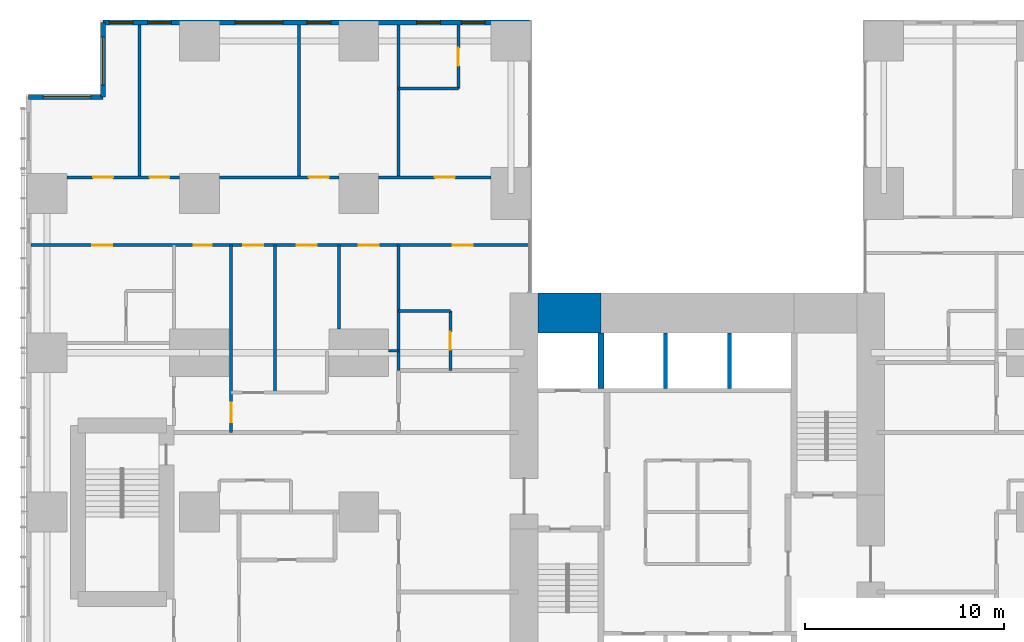
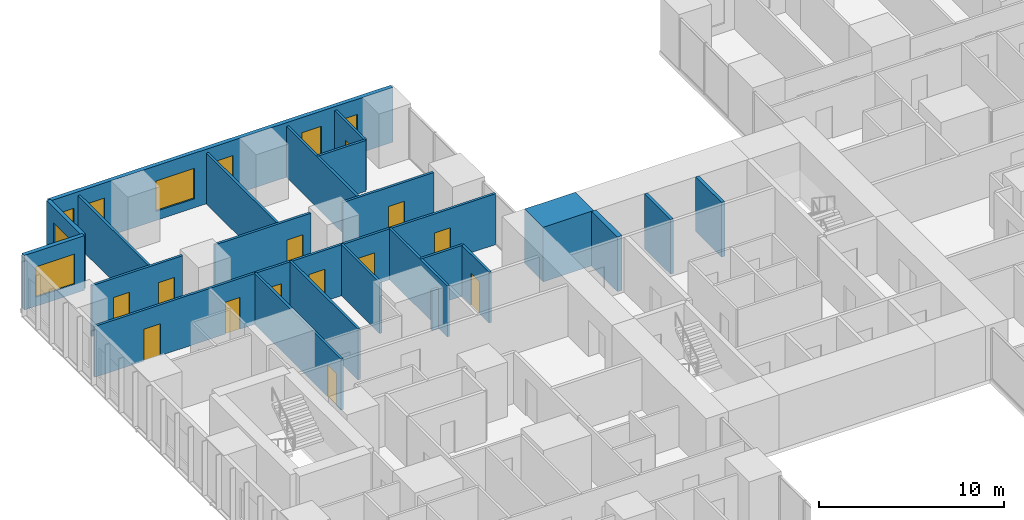
# One storey, part 17 of 20: 23 walls, 13 doors, 8 windows, 21 openings.
"""IFC4 building model written with IfcOpenShell, lengths in metres."""

import ifcopenshell
import ifcopenshell.guid

model = None  # the IFC model being written
_history = None  # IfcOwnerHistory: only IFC2X3 demands one
_inside = {}  # id of a spatial element -> (the spatial element, [elements in it])
_under = {}  # id of a project, library or spatial element -> (it, [spatial elements below it])
_declared = {}  # id of a project -> (the project, [libraries it declares])
_typed = {}  # id of a type object -> (the type object, [elements of that type])
_made_of = {}  # id of a material, layer set ... -> (it, [elements and type objects made of it])


def new_model(schema):
    """Start an empty IFC model of exactly this schema.

    Asked for "IFC4X3", IfcOpenShell would pick the latest addendum, in which some entities
    have other attributes; the version numbers below select the first issue.
    IFC2X3 requires an IfcOwnerHistory on every rooted entity: one is made here for all.
    """
    global model, _history
    if schema == "IFC4X3":
        model = ifcopenshell.file(schema_version=(4, 3, 0, 0))
    else:
        model = ifcopenshell.file(schema=schema)
    _inside.clear()
    _under.clear()
    _declared.clear()
    _typed.clear()
    _made_of.clear()
    _history = None
    if model.schema == "IFC2X3":
        org = make("IfcOrganization", Name="unknown")
        user = make(
            "IfcPersonAndOrganization",
            ThePerson=make("IfcPerson", FamilyName="unknown"),
            TheOrganization=org,
        )
        app = make(
            "IfcApplication",
            ApplicationDeveloper=org,
            Version="unknown",
            ApplicationFullName="unknown",
            ApplicationIdentifier="unknown",
        )
        _history = make(
            "IfcOwnerHistory",
            OwningUser=user,
            OwningApplication=app,
            ChangeAction="ADDED",
            CreationDate=0,
        )
    return model


def make(cls, **values):
    """One entity of the class cls with the attributes given. An attribute that is None is left unset."""
    return model.create_entity(
        cls, **{name: value for name, value in values.items() if value is not None}
    )


def rooted(cls, **values):
    """An entity with a GlobalId (a new one), such as an element, a storey or a relation."""
    return make(cls, GlobalId=ifcopenshell.guid.new(), OwnerHistory=_history, **values)


def si_unit(unit_type, name, prefix=None):
    """IfcSIUnit, for example si_unit("LENGTHUNIT", "METRE", prefix="MILLI")."""
    return make("IfcSIUnit", UnitType=unit_type, Prefix=prefix, Name=name)


def assignment(units):
    """IfcUnitAssignment: the units of a project."""
    return None if units is None else make("IfcUnitAssignment", Units=units)


def point(xyz):
    """IfcCartesianPoint."""
    return None if xyz is None else make("IfcCartesianPoint", Coordinates=xyz)


def direction(xyz):
    """IfcDirection."""
    return None if xyz is None else make("IfcDirection", DirectionRatios=xyz)


def frame(location, z_axis=None, x_axis=None):
    """IfcAxis2Placement3D, a coordinate frame: its origin and axes. An axis left out is left unset."""
    return make(
        "IfcAxis2Placement3D",
        Location=point(location),
        Axis=direction(z_axis),
        RefDirection=direction(x_axis),
    )


def frame_2d(location, x_axis=None):
    """IfcAxis2Placement2D, a coordinate frame in the plane: its origin and x axis."""
    return make(
        "IfcAxis2Placement2D", Location=point(location), RefDirection=direction(x_axis)
    )


def origin():
    """The frame at (0, 0, 0) with its axes left unset."""
    return frame((0.0, 0.0, 0.0))


def place(relative_to, where):
    """IfcLocalPlacement: puts the frame where relative to a parent placement (None: the world)."""
    return make(
        "IfcLocalPlacement", PlacementRelTo=relative_to, RelativePlacement=where
    )


def context(
    kind, dimensions, precision=None, world=None, true_north=None, identifier=None
):
    """IfcGeometricRepresentationContext, for example the 3D "Model" context."""
    return make(
        "IfcGeometricRepresentationContext",
        ContextIdentifier=identifier,
        ContextType=kind,
        CoordinateSpaceDimension=dimensions,
        Precision=precision,
        WorldCoordinateSystem=world,
        TrueNorth=true_north,
    )


def subcontext(parent, identifier, kind, view, scale=None):
    """IfcGeometricRepresentationSubContext, for example "Body" below "Model"."""
    return make(
        "IfcGeometricRepresentationSubContext",
        ContextIdentifier=identifier,
        ContextType=kind,
        ParentContext=parent,
        TargetScale=scale,
        TargetView=view,
    )


def project(units=None, contexts=None):
    """IfcProject with its units and contexts."""
    return rooted(
        "IfcProject",
        Name="project",
        RepresentationContexts=contexts,
        UnitsInContext=assignment(units),
    )


def spatial(cls, under=None, at=None, **own):
    """A site, building, storey or space (cls), placed at a placement, below another one or the project."""
    s = rooted(cls, ObjectPlacement=at, **own)
    if under is not None:
        _under.setdefault(under.id(), (under, []))[1].append(s)
    return s


def profile(cls, at=None, kind="AREA", **sizes):
    """A parametric profile (cls). Its sizes go by their IFC names, for example OverallWidth=200.0."""
    return make(cls, ProfileType=kind, Position=at, **sizes)


def rectangle(**sizes):
    """IfcRectangleProfileDef."""
    return profile("IfcRectangleProfileDef", **sizes)


def extrude(swept, where, along, depth):
    """IfcExtrudedAreaSolid: the profile swept, set in the frame where, extruded along a direction by depth."""
    return make(
        "IfcExtrudedAreaSolid",
        SweptArea=swept,
        Position=where,
        ExtrudedDirection=direction(along),
        Depth=depth,
    )


def shape(context_of_items, identifier, shape_type, items):
    """IfcShapeRepresentation: the items that make up one representation, for example the "Body"."""
    return make(
        "IfcShapeRepresentation",
        ContextOfItems=context_of_items,
        RepresentationIdentifier=identifier,
        RepresentationType=shape_type,
        Items=items,
    )


def material(Name=None, Category=None):
    """IfcMaterial."""
    return make("IfcMaterial", Name=Name, Category=Category)


def layer(
    of_material, thickness, ventilated=None, Name=None, Category=None, Priority=None
):
    """IfcMaterialLayer: one layer of a wall or slab, of a material (None: an air gap)."""
    return make(
        "IfcMaterialLayer",
        Material=of_material,
        LayerThickness=thickness,
        IsVentilated=ventilated,
        Name=Name,
        Category=Category,
        Priority=Priority,
    )


def layer_set(layers, Name=None):
    """IfcMaterialLayerSet."""
    return make("IfcMaterialLayerSet", MaterialLayers=layers, LayerSetName=Name)


def made_of(thing, what):
    """Note that an element or type object is made of a material, layer set ...; save() writes the relation."""
    if what is not None:
        _made_of.setdefault(what.id(), (what, []))[1].append(thing)
    return thing


def type_object(cls, material=None, **own):
    """A type object (cls), such as IfcWallType, which elements share."""
    return made_of(rooted(cls, **own), material)


def element(
    cls,
    number,
    at=None,
    inside=None,
    cuts=None,
    type_object=None,
    material=None,
    context=None,
    identifier="Body",
    shape_type=None,
    held_by="IfcProductDefinitionShape",
    body=None,
    shapes=None,
    **own,
):
    """One element of the class cls, such as IfcWall. Its Tag is "e" and its number.

    at: its placement. inside: the storey or other place that contains it. cuts: it is an
    opening in that element (IfcRelVoidsElement). A single representation is given by context,
    identifier, shape_type and body (its items); several are given by shapes. held_by: the class
    of the entity that holds the representations. save() writes the other relations.
    """
    e = rooted(cls, Tag="e%d" % number, ObjectPlacement=at, **own)
    if body is not None:
        shapes = [shape(context, identifier, shape_type, body)]
    if shapes is not None:
        e.Representation = make(held_by, Representations=shapes)
    if inside is not None:
        _inside.setdefault(inside.id(), (inside, []))[1].append(e)
    if cuts is not None:
        rooted(
            "IfcRelVoidsElement", RelatingBuildingElement=cuts, RelatedOpeningElement=e
        )
    if type_object is not None:
        _typed.setdefault(type_object.id(), (type_object, []))[1].append(e)
    return made_of(e, material)


def fill(opening, filler):
    """IfcRelFillsElement: the door or window that sits in an opening."""
    return rooted(
        "IfcRelFillsElement",
        RelatingOpeningElement=opening,
        RelatedBuildingElement=filler,
    )


def aggregate(whole, parts):
    """IfcRelAggregates: a whole, such as a stair, and the parts it consists of."""
    return rooted("IfcRelAggregates", RelatingObject=whole, RelatedObjects=parts)


def save(model, path):
    """Write the relations noted so far, then the file.

    IfcRelAggregates (storeys below a building ...), IfcRelContainedInSpatialStructure (elements
    in a storey), IfcRelDefinesByType, IfcRelAssociatesMaterial and IfcRelDeclares: one each for
    every whole, place, type object, material and project.
    """
    for whole, parts in _under.values():
        aggregate(whole, parts)
    for where, things in _inside.values():
        rooted(
            "IfcRelContainedInSpatialStructure",
            RelatedElements=things,
            RelatingStructure=where,
        )
    for kind, things in _typed.values():
        rooted("IfcRelDefinesByType", RelatedObjects=things, RelatingType=kind)
    for what, things in _made_of.values():
        rooted("IfcRelAssociatesMaterial", RelatedObjects=things, RelatingMaterial=what)
    for by, libraries in _declared.values():
        rooted("IfcRelDeclares", RelatingContext=by, RelatedDefinitions=libraries)
    model.write(path)


model = new_model("IFC4")

# Units and contexts
model_context = context("Model", 3, precision=1e-05, world=origin(), true_north=direction((0.0, 1.0)))
body_context = subcontext(model_context, "Body", "Model", "MODEL_VIEW")
ifc_project = project(units=[si_unit("LENGTHUNIT", "METRE"), si_unit("AREAUNIT", "SQUARE_METRE"), si_unit("VOLUMEUNIT", "CUBIC_METRE"), si_unit("PLANEANGLEUNIT", "RADIAN"), si_unit("MASSUNIT", "GRAM", prefix="KILO")], contexts=[model_context])

# Site, building, storey
site_placement = place(None, origin())
site = spatial("IfcSite", under=ifc_project, at=site_placement, CompositionType="ELEMENT")
building_placement = place(site_placement, origin())
building = spatial("IfcBuilding", under=site, at=building_placement, Name="Cleftline Residences", CompositionType="ELEMENT")
storey_placement = place(building_placement, frame((0.0, 0.0, 51.199951171875)))
storey = spatial("IfcBuildingStorey", under=building, at=storey_placement, Name="L12", CompositionType="ELEMENT", Elevation=51.199951171875)

# Walls
ifc_material_1 = material(Name="Concrete B70", Category="concrete")
ifc_layer_1 = layer(ifc_material_1, 2.0)
ifc_layer_set_1 = layer_set([ifc_layer_1], Name="CORE WALL 2000")
wall_type_1 = type_object("IfcWallType", Name="CORE WALL 2000", PredefinedType="SHEAR", material=ifc_layer_set_1)
wall_1_placement = place(storey_placement, frame((25.0, 34.0, 0.0), z_axis=(0.0, 0.0, 1.0), x_axis=(1.0, 0.0, 0.0)))
element("IfcWall", 1, at=wall_1_placement, inside=storey, type_object=wall_type_1, Name="Core wall N1", PredefinedType="SHEAR", context=body_context, shape_type="SweptSolid", body=[
    extrude(rectangle(XDim=3.14990234375, YDim=2.0, at=frame_2d((1.574951171875, 0.0))), origin(), (0.0, 0.0, 1.0), 3.60009765625),
])
ifc_material_2 = material(Name="Concrete B70", Category="concrete")
ifc_layer_2 = layer(ifc_material_2, 0.300048828125)
ifc_layer_set_2 = layer_set([ifc_layer_2], Name="CORE WALL 300")
wall_type_2 = type_object("IfcWallType", Name="CORE WALL 300", PredefinedType="SHEAR", material=ifc_layer_set_2)
wall_2_placement = place(storey_placement, frame((28.14990234375, 30.199951171875, 0.0), z_axis=(0.0, 0.0, 1.0), x_axis=(0.0, 1.0, 0.0)))
element("IfcWall", 2, at=wall_2_placement, inside=storey, type_object=wall_type_2, Name="Lift shaft wall", PredefinedType="SHEAR", context=body_context, shape_type="SweptSolid", body=[
    extrude(rectangle(XDim=2.800048828125, YDim=0.300048828125, at=frame_2d((1.39990234375, 0.0))), origin(), (0.0, 0.0, 1.0), 3.60009765625),
])

# Wall, openings, windows
ifc_material_3 = material(Name="Rendered reinforced concrete blockwork", Category="masonry")
ifc_layer_3 = layer(ifc_material_3, 0.25)
ifc_layer_set_3 = layer_set([ifc_layer_3], Name="EXTERNAL WALL 250")
wall_type_3 = type_object("IfcWallType", Name="EXTERNAL WALL 250", PredefinedType="SOLIDWALL", material=ifc_layer_set_3)
wall_3_placement = place(storey_placement, frame((24.574951171875, 48.574951171875, 0.0), z_axis=(0.0, 0.0, 1.0), x_axis=(-1.0, 0.0, 0.0)))
wall_3 = element("IfcWall", 3, at=wall_3_placement, inside=storey, type_object=wall_type_3, Name="External wall", PredefinedType="SOLIDWALL", context=body_context, shape_type="SweptSolid", body=[
    extrude(rectangle(XDim=21.39990234375, YDim=0.25, at=frame_2d((10.699951171875, 0.0))), origin(), (0.0, 0.0, 1.0), 3.60009765625),
])
opening_1_placement = place(wall_3_placement, frame((2.22509765625, 0.0, 0.60009765625)))
opening_1 = element("IfcOpeningElement", 4, at=opening_1_placement, cuts=wall_3, Name="Opening W8", PredefinedType="OPENING", context=body_context, shape_type="SweptSolid", body=[
    extrude(rectangle(XDim=1.199951171875, YDim=2.0, at=frame_2d((0.60009765625, 1.0))), frame((0.0, 0.135009765625, 0.0), z_axis=(0.0, -1.0, 0.0), x_axis=(1.0, 0.0, 0.0)), (0.0, 0.0, 1.0), 0.27001953125),
])
opening_2_placement = place(wall_3_placement, frame((4.47509765625, 0.0, 0.60009765625)))
opening_2 = element("IfcOpeningElement", 5, at=opening_2_placement, cuts=wall_3, Name="Opening W8", PredefinedType="OPENING", context=body_context, shape_type="SweptSolid", body=[
    extrude(rectangle(XDim=1.199951171875, YDim=2.0, at=frame_2d((0.60009765625, 1.0))), frame((0.0, 0.135009765625, 0.0), z_axis=(0.0, -1.0, 0.0), x_axis=(1.0, 0.0, 0.0)), (0.0, 0.0, 1.0), 0.27001953125),
])
opening_3_placement = place(wall_3_placement, frame((9.97509765625, 0.0, 0.60009765625)))
opening_3 = element("IfcOpeningElement", 6, at=opening_3_placement, cuts=wall_3, Name="Opening W8", PredefinedType="OPENING", context=body_context, shape_type="SweptSolid", body=[
    extrude(rectangle(XDim=1.199951171875, YDim=2.0, at=frame_2d((0.60009765625, 1.0))), frame((0.0, 0.135009765625, 0.0), z_axis=(0.0, -1.0, 0.0), x_axis=(1.0, 0.0, 0.0)), (0.0, 0.0, 1.0), 0.27001953125),
])
opening_4_placement = place(wall_3_placement, frame((12.375, 0.0, 0.60009765625)))
opening_4 = element("IfcOpeningElement", 7, at=opening_4_placement, cuts=wall_3, Name="Opening W6", PredefinedType="OPENING", context=body_context, shape_type="SweptSolid", body=[
    extrude(rectangle(XDim=2.39990234375, YDim=2.0, at=frame_2d((1.199951171875, 1.0))), frame((0.0, 0.135009765625, 0.0), z_axis=(0.0, -1.0, 0.0), x_axis=(1.0, 0.0, 0.0)), (0.0, 0.0, 1.0), 0.27001953125),
])
opening_5_placement = place(wall_3_placement, frame((17.97509765625, 0.0, 0.60009765625)))
opening_5 = element("IfcOpeningElement", 8, at=opening_5_placement, cuts=wall_3, Name="Opening W8", PredefinedType="OPENING", context=body_context, shape_type="SweptSolid", body=[
    extrude(rectangle(XDim=1.199951171875, YDim=2.0, at=frame_2d((0.60009765625, 1.0))), frame((0.0, 0.135009765625, 0.0), z_axis=(0.0, -1.0, 0.0), x_axis=(1.0, 0.0, 0.0)), (0.0, 0.0, 1.0), 0.27001953125),
])
opening_6_placement = place(wall_3_placement, frame((19.89990234375, 0.0, 0.60009765625)))
opening_6 = element("IfcOpeningElement", 9, at=opening_6_placement, cuts=wall_3, Name="Opening W8", PredefinedType="OPENING", context=body_context, shape_type="SweptSolid", body=[
    extrude(rectangle(XDim=1.199951171875, YDim=2.0, at=frame_2d((0.60009765625, 1.0))), frame((0.0, 0.135009765625, 0.0), z_axis=(0.0, -1.0, 0.0), x_axis=(1.0, 0.0, 0.0)), (0.0, 0.0, 1.0), 0.27001953125),
])
ifc_material_4 = material(Name="Aluminium frame, clear double glazing", Category="aluminium")
window_type_1 = type_object("IfcWindowType", Name="WINDOW 1200X2000", PartitioningType="DOUBLE_PANEL_VERTICAL", PredefinedType="WINDOW", material=ifc_material_4)
window_1_placement = place(opening_1_placement, origin())
window_1 = element("IfcWindow", 10, at=window_1_placement, inside=storey, type_object=window_type_1, Name="Window", OverallHeight=2.0, OverallWidth=1.199951171875, PartitioningType="SINGLE_PANEL", PredefinedType="WINDOW", context=body_context, shape_type="SweptSolid", body=[
    extrude(rectangle(XDim=1.199951171875, YDim=2.0, at=frame_2d((0.60009765625, 1.0))), frame((0.0, 0.030029296875, 0.0), z_axis=(0.0, -1.0, 0.0), x_axis=(1.0, 0.0, 0.0)), (0.0, 0.0, 1.0), 0.06005859375),
])
fill(opening_1, window_1)
window_2_placement = place(opening_2_placement, origin())
window_2 = element("IfcWindow", 11, at=window_2_placement, inside=storey, type_object=window_type_1, Name="Window", OverallHeight=2.0, OverallWidth=1.199951171875, PartitioningType="SINGLE_PANEL", PredefinedType="WINDOW", context=body_context, shape_type="SweptSolid", body=[
    extrude(rectangle(XDim=1.199951171875, YDim=2.0, at=frame_2d((0.60009765625, 1.0))), frame((0.0, 0.030029296875, 0.0), z_axis=(0.0, -1.0, 0.0), x_axis=(1.0, 0.0, 0.0)), (0.0, 0.0, 1.0), 0.06005859375),
])
fill(opening_2, window_2)
window_3_placement = place(opening_3_placement, origin())
window_3 = element("IfcWindow", 12, at=window_3_placement, inside=storey, type_object=window_type_1, Name="Window", OverallHeight=2.0, OverallWidth=1.199951171875, PartitioningType="SINGLE_PANEL", PredefinedType="WINDOW", context=body_context, shape_type="SweptSolid", body=[
    extrude(rectangle(XDim=1.199951171875, YDim=2.0, at=frame_2d((0.60009765625, 1.0))), frame((0.0, 0.030029296875, 0.0), z_axis=(0.0, -1.0, 0.0), x_axis=(1.0, 0.0, 0.0)), (0.0, 0.0, 1.0), 0.06005859375),
])
fill(opening_3, window_3)
window_4_placement = place(opening_5_placement, origin())
window_4 = element("IfcWindow", 13, at=window_4_placement, inside=storey, type_object=window_type_1, Name="Window", OverallHeight=2.0, OverallWidth=1.199951171875, PartitioningType="SINGLE_PANEL", PredefinedType="WINDOW", context=body_context, shape_type="SweptSolid", body=[
    extrude(rectangle(XDim=1.199951171875, YDim=2.0, at=frame_2d((0.60009765625, 1.0))), frame((0.0, 0.030029296875, 0.0), z_axis=(0.0, -1.0, 0.0), x_axis=(1.0, 0.0, 0.0)), (0.0, 0.0, 1.0), 0.06005859375),
])
fill(opening_5, window_4)
window_5_placement = place(opening_6_placement, origin())
window_5 = element("IfcWindow", 14, at=window_5_placement, inside=storey, type_object=window_type_1, Name="Window", OverallHeight=2.0, OverallWidth=1.199951171875, PartitioningType="SINGLE_PANEL", PredefinedType="WINDOW", context=body_context, shape_type="SweptSolid", body=[
    extrude(rectangle(XDim=1.199951171875, YDim=2.0, at=frame_2d((0.60009765625, 1.0))), frame((0.0, 0.030029296875, 0.0), z_axis=(0.0, -1.0, 0.0), x_axis=(1.0, 0.0, 0.0)), (0.0, 0.0, 1.0), 0.06005859375),
])
fill(opening_6, window_5)
ifc_material_5 = material(Name="Aluminium frame, clear double glazing", Category="aluminium")
window_type_2 = type_object("IfcWindowType", Name="WINDOW 2400X2000", PartitioningType="DOUBLE_PANEL_VERTICAL", PredefinedType="WINDOW", material=ifc_material_5)
window_6_placement = place(opening_4_placement, origin())
window_6 = element("IfcWindow", 15, at=window_6_placement, inside=storey, type_object=window_type_2, Name="Window", OverallHeight=2.0, OverallWidth=2.39990234375, PartitioningType="SINGLE_PANEL", PredefinedType="WINDOW", context=body_context, shape_type="SweptSolid", body=[
    extrude(rectangle(XDim=2.39990234375, YDim=2.0, at=frame_2d((1.199951171875, 1.0))), frame((0.0, 0.030029296875, 0.0), z_axis=(0.0, -1.0, 0.0), x_axis=(1.0, 0.0, 0.0)), (0.0, 0.0, 1.0), 0.06005859375),
])
fill(opening_4, window_6)

# Wall, opening, window
wall_4_placement = place(storey_placement, frame((3.175048828125, 48.574951171875, 0.0), z_axis=(0.0, 0.0, 1.0), x_axis=(0.0, -1.0, 0.0)))
wall_4 = element("IfcWall", 16, at=wall_4_placement, inside=storey, type_object=wall_type_3, Name="External wall", PredefinedType="SOLIDWALL", context=body_context, shape_type="SweptSolid", body=[
    extrude(rectangle(XDim=3.75, YDim=0.25, at=frame_2d((1.875, 0.0))), origin(), (0.0, 0.0, 1.0), 3.60009765625),
])
opening_7_placement = place(wall_4_placement, frame((0.737548828125, 0.0, 0.60009765625)))
opening_7 = element("IfcOpeningElement", 17, at=opening_7_placement, cuts=wall_4, Name="Opening W6", PredefinedType="OPENING", context=body_context, shape_type="SweptSolid", body=[
    extrude(rectangle(XDim=2.39990234375, YDim=2.0, at=frame_2d((1.199951171875, 1.0))), frame((0.0, 0.135009765625, 0.0), z_axis=(0.0, -1.0, 0.0), x_axis=(1.0, 0.0, 0.0)), (0.0, 0.0, 1.0), 0.27001953125),
])
window_7_placement = place(opening_7_placement, origin())
window_7 = element("IfcWindow", 18, at=window_7_placement, inside=storey, type_object=window_type_2, Name="Window", OverallHeight=2.0, OverallWidth=2.39990234375, PartitioningType="SINGLE_PANEL", PredefinedType="WINDOW", context=body_context, shape_type="SweptSolid", body=[
    extrude(rectangle(XDim=2.39990234375, YDim=2.0, at=frame_2d((1.199951171875, 1.0))), frame((0.0, 0.030029296875, 0.0), z_axis=(0.0, -1.0, 0.0), x_axis=(1.0, 0.0, 0.0)), (0.0, 0.0, 1.0), 0.06005859375),
])
fill(opening_7, window_7)

wall_5_placement = place(storey_placement, frame((3.175048828125, 44.824951171875, 0.0), z_axis=(0.0, 0.0, 1.0), x_axis=(-1.0, 0.0, 0.0)))
wall_5 = element("IfcWall", 19, at=wall_5_placement, inside=storey, type_object=wall_type_3, Name="External wall", PredefinedType="SOLIDWALL", context=body_context, shape_type="SweptSolid", body=[
    extrude(rectangle(XDim=3.75, YDim=0.25, at=frame_2d((1.875, 0.0))), origin(), (0.0, 0.0, 1.0), 3.60009765625),
])
opening_8_placement = place(wall_5_placement, frame((0.612548828125, 0.0, 0.60009765625)))
opening_8 = element("IfcOpeningElement", 20, at=opening_8_placement, cuts=wall_5, Name="Opening W6", PredefinedType="OPENING", context=body_context, shape_type="SweptSolid", body=[
    extrude(rectangle(XDim=2.39990234375, YDim=2.0, at=frame_2d((1.199951171875, 1.0))), frame((0.0, 0.135009765625, 0.0), z_axis=(0.0, -1.0, 0.0), x_axis=(1.0, 0.0, 0.0)), (0.0, 0.0, 1.0), 0.27001953125),
])
window_8_placement = place(opening_8_placement, origin())
window_8 = element("IfcWindow", 21, at=window_8_placement, inside=storey, type_object=window_type_2, Name="Window", OverallHeight=2.0, OverallWidth=2.39990234375, PartitioningType="SINGLE_PANEL", PredefinedType="WINDOW", context=body_context, shape_type="SweptSolid", body=[
    extrude(rectangle(XDim=2.39990234375, YDim=2.0, at=frame_2d((1.199951171875, 1.0))), frame((0.0, 0.030029296875, 0.0), z_axis=(0.0, -1.0, 0.0), x_axis=(1.0, 0.0, 0.0)), (0.0, 0.0, 1.0), 0.06005859375),
])
fill(opening_8, window_8)

# Walls
ifc_material_6 = material(Name="Gypsum board on steel studs", Category="steel")
ifc_layer_4 = layer(ifc_material_6, 0.14990234375)
ifc_layer_set_4 = layer_set([ifc_layer_4], Name="PARTITION 150")
wall_type_4 = type_object("IfcWallType", Name="PARTITION 150", PredefinedType="PARTITIONING", material=ifc_layer_set_4)
wall_6_placement = place(storey_placement, frame((17.5, 32.10009765625, 0.0), z_axis=(0.0, 0.0, 1.0), x_axis=(1.0, 0.0, 0.0)))
element("IfcWall", 22, at=wall_6_placement, inside=storey, type_object=wall_type_4, Name="Partition", PredefinedType="PARTITIONING", context=body_context, shape_type="SweptSolid", body=[
    extrude(rectangle(XDim=0.5, YDim=0.14990234375, at=frame_2d((0.25, 0.0))), origin(), (0.0, 0.0, 1.0), 2.634033203125),
])
wall_7_placement = place(storey_placement, frame((18.0, 34.10009765625, 0.0), z_axis=(0.0, 0.0, 1.0), x_axis=(1.0, 0.0, 0.0)))
element("IfcWall", 23, at=wall_7_placement, inside=storey, type_object=wall_type_4, Name="Partition", PredefinedType="PARTITIONING", context=body_context, shape_type="SweptSolid", body=[
    extrude(rectangle(XDim=2.60009765625, YDim=0.14990234375, at=frame_2d((1.300048828125, 0.0))), origin(), (0.0, 0.0, 1.0), 3.35009765625),
])

# Wall, openings, doors
wall_8_placement = place(storey_placement, frame((-0.449951171875, 37.39990234375, 0.0), z_axis=(0.0, 0.0, 1.0), x_axis=(1.0, 0.0, 0.0)))
wall_8 = element("IfcWall", 24, at=wall_8_placement, inside=storey, type_object=wall_type_4, Name="Partition", PredefinedType="PARTITIONING", context=body_context, shape_type="SweptSolid", body=[
    extrude(rectangle(XDim=25.010986328125, YDim=0.14990234375, at=frame_2d((12.50537109375, 0.0))), origin(), (0.0, 0.0, 1.0), 3.35009765625),
])
opening_9_placement = place(wall_8_placement, frame((10.64990234375, 0.0, 0.0)))
opening_9 = element("IfcOpeningElement", 25, at=opening_9_placement, cuts=wall_8, Name="Opening D2", PredefinedType="OPENING", context=body_context, shape_type="SweptSolid", body=[
    extrude(rectangle(XDim=1.0, YDim=2.10009765625, at=frame_2d((0.5, 1.050048828125))), frame((0.0, 0.0849609375, 0.0), z_axis=(0.0, -1.0, 0.0), x_axis=(1.0, 0.0, 0.0)), (0.0, 0.0, 1.0), 0.169921875),
])
opening_10_placement = place(wall_8_placement, frame((3.08740234375, 0.0, 0.0)))
opening_10 = element("IfcOpeningElement", 26, at=opening_10_placement, cuts=wall_8, Name="Opening D2", PredefinedType="OPENING", context=body_context, shape_type="SweptSolid", body=[
    extrude(rectangle(XDim=1.0, YDim=2.10009765625, at=frame_2d((0.5, 1.050048828125))), frame((0.0, 0.0849609375, 0.0), z_axis=(0.0, -1.0, 0.0), x_axis=(1.0, 0.0, 0.0)), (0.0, 0.0, 1.0), 0.169921875),
])
opening_11_placement = place(wall_8_placement, frame((8.16259765625, 0.0, 0.0)))
opening_11 = element("IfcOpeningElement", 27, at=opening_11_placement, cuts=wall_8, Name="Opening D1", PredefinedType="OPENING", context=body_context, shape_type="SweptSolid", body=[
    extrude(rectangle(XDim=0.89990234375, YDim=2.10009765625, at=frame_2d((0.449951171875, 1.050048828125))), frame((0.0, 0.0849609375, 0.0), z_axis=(0.0, -1.0, 0.0), x_axis=(1.0, 0.0, 0.0)), (0.0, 0.0, 1.0), 0.169921875),
])
opening_12_placement = place(wall_8_placement, frame((13.35009765625, 0.0, 0.0)))
opening_12 = element("IfcOpeningElement", 28, at=opening_12_placement, cuts=wall_8, Name="Opening D2", PredefinedType="OPENING", context=body_context, shape_type="SweptSolid", body=[
    extrude(rectangle(XDim=1.0, YDim=2.10009765625, at=frame_2d((0.5, 1.050048828125))), frame((0.0, 0.0849609375, 0.0), z_axis=(0.0, -1.0, 0.0), x_axis=(1.0, 0.0, 0.0)), (0.0, 0.0, 1.0), 0.169921875),
])
opening_13_placement = place(wall_8_placement, frame((16.449951171875, 0.0, 0.0)))
opening_13 = element("IfcOpeningElement", 29, at=opening_13_placement, cuts=wall_8, Name="Opening D2", PredefinedType="OPENING", context=body_context, shape_type="SweptSolid", body=[
    extrude(rectangle(XDim=1.0, YDim=2.10009765625, at=frame_2d((0.5, 1.050048828125))), frame((0.0, 0.0849609375, 0.0), z_axis=(0.0, -1.0, 0.0), x_axis=(1.0, 0.0, 0.0)), (0.0, 0.0, 1.0), 0.169921875),
])
opening_14_placement = place(wall_8_placement, frame((21.175048828125, 0.0, 0.0)))
opening_14 = element("IfcOpeningElement", 30, at=opening_14_placement, cuts=wall_8, Name="Opening D2", PredefinedType="OPENING", context=body_context, shape_type="SweptSolid", body=[
    extrude(rectangle(XDim=1.0, YDim=2.10009765625, at=frame_2d((0.5, 1.050048828125))), frame((0.0, 0.0849609375, 0.0), z_axis=(0.0, -1.0, 0.0), x_axis=(1.0, 0.0, 0.0)), (0.0, 0.0, 1.0), 0.169921875),
])
ifc_material_7 = material(Name="Timber veneer on solid core", Category="wood")
door_type_1 = type_object("IfcDoorType", Name="DOOR 1000X2100", OperationType="SINGLE_SWING_LEFT", PredefinedType="DOOR", material=ifc_material_7)
door_1_placement = place(opening_9_placement, origin())
door_1 = element("IfcDoor", 31, at=door_1_placement, inside=storey, type_object=door_type_1, Name="Door to residence hall", OperationType="SINGLE_SWING_RIGHT", OverallHeight=2.10009765625, OverallWidth=1.0, PredefinedType="DOOR", context=body_context, shape_type="SweptSolid", body=[
    extrude(rectangle(XDim=1.0, YDim=2.10009765625, at=frame_2d((0.5, 1.050048828125))), frame((0.0, 0.02490234375, 0.0), z_axis=(0.0, -1.0, 0.0), x_axis=(1.0, 0.0, 0.0)), (0.0, 0.0, 1.0), 0.050048828125),
])
fill(opening_9, door_1)
door_2_placement = place(opening_10_placement, origin())
door_2 = element("IfcDoor", 32, at=door_2_placement, inside=storey, type_object=door_type_1, Name="Door to bedroom 2", OperationType="SINGLE_SWING_RIGHT", OverallHeight=2.10009765625, OverallWidth=1.0, PredefinedType="DOOR", context=body_context, shape_type="SweptSolid", body=[
    extrude(rectangle(XDim=1.0, YDim=2.10009765625, at=frame_2d((0.5, 1.050048828125))), frame((0.0, 0.02490234375, 0.0), z_axis=(0.0, -1.0, 0.0), x_axis=(1.0, 0.0, 0.0)), (0.0, 0.0, 1.0), 0.050048828125),
])
fill(opening_10, door_2)
door_3_placement = place(opening_12_placement, origin())
door_3 = element("IfcDoor", 33, at=door_3_placement, inside=storey, type_object=door_type_1, Name="Door to family room", OperationType="SINGLE_SWING_LEFT", OverallHeight=2.10009765625, OverallWidth=1.0, PredefinedType="DOOR", context=body_context, shape_type="SweptSolid", body=[
    extrude(rectangle(XDim=1.0, YDim=2.10009765625, at=frame_2d((0.5, 1.050048828125))), frame((0.0, 0.02490234375, 0.0), z_axis=(0.0, -1.0, 0.0), x_axis=(1.0, 0.0, 0.0)), (0.0, 0.0, 1.0), 0.050048828125),
])
fill(opening_12, door_3)
door_4_placement = place(opening_13_placement, origin())
door_4 = element("IfcDoor", 34, at=door_4_placement, inside=storey, type_object=door_type_1, Name="Door to wet kitchen", OperationType="SINGLE_SWING_LEFT", OverallHeight=2.10009765625, OverallWidth=1.0, PredefinedType="DOOR", context=body_context, shape_type="SweptSolid", body=[
    extrude(rectangle(XDim=1.0, YDim=2.10009765625, at=frame_2d((0.5, 1.050048828125))), frame((0.0, 0.02490234375, 0.0), z_axis=(0.0, -1.0, 0.0), x_axis=(1.0, 0.0, 0.0)), (0.0, 0.0, 1.0), 0.050048828125),
])
fill(opening_13, door_4)
door_5_placement = place(opening_14_placement, origin())
door_5 = element("IfcDoor", 35, at=door_5_placement, inside=storey, type_object=door_type_1, Name="Door to bedroom 3", OperationType="SINGLE_SWING_LEFT", OverallHeight=2.10009765625, OverallWidth=1.0, PredefinedType="DOOR", context=body_context, shape_type="SweptSolid", body=[
    extrude(rectangle(XDim=1.0, YDim=2.10009765625, at=frame_2d((0.5, 1.050048828125))), frame((0.0, 0.02490234375, 0.0), z_axis=(0.0, -1.0, 0.0), x_axis=(1.0, 0.0, 0.0)), (0.0, 0.0, 1.0), 0.050048828125),
])
fill(opening_14, door_5)
ifc_material_8 = material(Name="Timber veneer on solid core", Category="wood")
door_type_2 = type_object("IfcDoorType", Name="DOOR 900X2100", OperationType="SINGLE_SWING_LEFT", PredefinedType="DOOR", material=ifc_material_8)
door_6_placement = place(opening_11_placement, origin())
door_6 = element("IfcDoor", 36, at=door_6_placement, inside=storey, type_object=door_type_2, Name="Door to linen store", OperationType="SINGLE_SWING_RIGHT", OverallHeight=2.10009765625, OverallWidth=0.89990234375, PredefinedType="DOOR", context=body_context, shape_type="SweptSolid", body=[
    extrude(rectangle(XDim=0.89990234375, YDim=2.10009765625, at=frame_2d((0.449951171875, 1.050048828125))), frame((0.0, 0.02490234375, 0.0), z_axis=(0.0, -1.0, 0.0), x_axis=(1.0, 0.0, 0.0)), (0.0, 0.0, 1.0), 0.050048828125),
])
fill(opening_11, door_6)

wall_9_placement = place(storey_placement, frame((1.35009765625, 40.800048828125, 0.0), z_axis=(0.0, 0.0, 1.0), x_axis=(1.0, 0.0, 0.0)))
wall_9 = element("IfcWall", 37, at=wall_9_placement, inside=storey, type_object=wall_type_4, Name="Partition", PredefinedType="PARTITIONING", context=body_context, shape_type="SweptSolid", body=[
    extrude(rectangle(XDim=5.64990234375, YDim=0.14990234375, at=frame_2d((2.824951171875, 0.0))), origin(), (0.0, 0.0, 1.0), 3.35009765625),
])
opening_15_placement = place(wall_9_placement, frame((1.324951171875, 0.0, 0.0)))
opening_15 = element("IfcOpeningElement", 38, at=opening_15_placement, cuts=wall_9, Name="Opening D2", PredefinedType="OPENING", context=body_context, shape_type="SweptSolid", body=[
    extrude(rectangle(XDim=1.0, YDim=2.10009765625, at=frame_2d((0.5, 1.050048828125))), frame((0.0, 0.0849609375, 0.0), z_axis=(0.0, -1.0, 0.0), x_axis=(1.0, 0.0, 0.0)), (0.0, 0.0, 1.0), 0.169921875),
])
opening_16_placement = place(wall_9_placement, frame((4.14990234375, 0.0, 0.0)))
opening_16 = element("IfcOpeningElement", 39, at=opening_16_placement, cuts=wall_9, Name="Opening D2", PredefinedType="OPENING", context=body_context, shape_type="SweptSolid", body=[
    extrude(rectangle(XDim=1.0, YDim=2.10009765625, at=frame_2d((0.5, 1.050048828125))), frame((0.0, 0.0849609375, 0.0), z_axis=(0.0, -1.0, 0.0), x_axis=(1.0, 0.0, 0.0)), (0.0, 0.0, 1.0), 0.169921875),
])
door_7_placement = place(opening_15_placement, origin())
door_7 = element("IfcDoor", 40, at=door_7_placement, inside=storey, type_object=door_type_1, Name="Door to winter garden", OperationType="SINGLE_SWING_RIGHT", OverallHeight=2.10009765625, OverallWidth=1.0, PredefinedType="DOOR", context=body_context, shape_type="SweptSolid", body=[
    extrude(rectangle(XDim=1.0, YDim=2.10009765625, at=frame_2d((0.5, 1.050048828125))), frame((0.0, 0.02490234375, 0.0), z_axis=(0.0, -1.0, 0.0), x_axis=(1.0, 0.0, 0.0)), (0.0, 0.0, 1.0), 0.050048828125),
])
fill(opening_15, door_7)
door_8_placement = place(opening_16_placement, origin())
door_8 = element("IfcDoor", 41, at=door_8_placement, inside=storey, type_object=door_type_1, Name="Door to living and dining room", OperationType="SINGLE_SWING_LEFT", OverallHeight=2.10009765625, OverallWidth=1.0, PredefinedType="DOOR", context=body_context, shape_type="SweptSolid", body=[
    extrude(rectangle(XDim=1.0, YDim=2.10009765625, at=frame_2d((0.5, 1.050048828125))), frame((0.0, 0.02490234375, 0.0), z_axis=(0.0, -1.0, 0.0), x_axis=(1.0, 0.0, 0.0)), (0.0, 0.0, 1.0), 0.050048828125),
])
fill(opening_16, door_8)

# Wall, opening, door
wall_10_placement = place(storey_placement, frame((9.0, 40.800048828125, 0.0), z_axis=(0.0, 0.0, 1.0), x_axis=(1.0, 0.0, 0.0)))
wall_10 = element("IfcWall", 42, at=wall_10_placement, inside=storey, type_object=wall_type_4, Name="Partition", PredefinedType="PARTITIONING", context=body_context, shape_type="SweptSolid", body=[
    extrude(rectangle(XDim=6.0, YDim=0.14990234375, at=frame_2d((3.0, 0.0))), origin(), (0.0, 0.0, 1.0), 3.35009765625),
])
opening_17_placement = place(wall_10_placement, frame((4.5, 0.0, 0.0)))
opening_17 = element("IfcOpeningElement", 43, at=opening_17_placement, cuts=wall_10, Name="Opening D2", PredefinedType="OPENING", context=body_context, shape_type="SweptSolid", body=[
    extrude(rectangle(XDim=1.0, YDim=2.10009765625, at=frame_2d((0.5, 1.050048828125))), frame((0.0, 0.0849609375, 0.0), z_axis=(0.0, -1.0, 0.0), x_axis=(1.0, 0.0, 0.0)), (0.0, 0.0, 1.0), 0.169921875),
])
door_9_placement = place(opening_17_placement, origin())
door_9 = element("IfcDoor", 44, at=door_9_placement, inside=storey, type_object=door_type_1, Name="Door to show kitchen", OperationType="SINGLE_SWING_LEFT", OverallHeight=2.10009765625, OverallWidth=1.0, PredefinedType="DOOR", context=body_context, shape_type="SweptSolid", body=[
    extrude(rectangle(XDim=1.0, YDim=2.10009765625, at=frame_2d((0.5, 1.050048828125))), frame((0.0, 0.02490234375, 0.0), z_axis=(0.0, -1.0, 0.0), x_axis=(1.0, 0.0, 0.0)), (0.0, 0.0, 1.0), 0.050048828125),
])
fill(opening_17, door_9)

wall_11_placement = place(storey_placement, frame((17.0, 40.800048828125, 0.0), z_axis=(0.0, 0.0, 1.0), x_axis=(1.0, 0.0, 0.0)))
wall_11 = element("IfcWall", 45, at=wall_11_placement, inside=storey, type_object=wall_type_4, Name="Partition", PredefinedType="PARTITIONING", context=body_context, shape_type="SweptSolid", body=[
    extrude(rectangle(XDim=5.64990234375, YDim=0.14990234375, at=frame_2d((2.824951171875, 0.0))), origin(), (0.0, 0.0, 1.0), 3.35009765625),
])
opening_18_placement = place(wall_11_placement, frame((2.824951171875, 0.0, 0.0)))
opening_18 = element("IfcOpeningElement", 46, at=opening_18_placement, cuts=wall_11, Name="Opening D2", PredefinedType="OPENING", context=body_context, shape_type="SweptSolid", body=[
    extrude(rectangle(XDim=1.0, YDim=2.10009765625, at=frame_2d((0.5, 1.050048828125))), frame((0.0, 0.0849609375, 0.0), z_axis=(0.0, -1.0, 0.0), x_axis=(1.0, 0.0, 0.0)), (0.0, 0.0, 1.0), 0.169921875),
])
door_10_placement = place(opening_18_placement, origin())
door_10 = element("IfcDoor", 47, at=door_10_placement, inside=storey, type_object=door_type_1, Name="Door to master bedroom", OperationType="SINGLE_SWING_LEFT", OverallHeight=2.10009765625, OverallWidth=1.0, PredefinedType="DOOR", context=body_context, shape_type="SweptSolid", body=[
    extrude(rectangle(XDim=1.0, YDim=2.10009765625, at=frame_2d((0.5, 1.050048828125))), frame((0.0, 0.02490234375, 0.0), z_axis=(0.0, -1.0, 0.0), x_axis=(1.0, 0.0, 0.0)), (0.0, 0.0, 1.0), 0.050048828125),
])
fill(opening_18, door_10)

# Walls
wall_12_placement = place(storey_placement, frame((18.0, 45.25, 0.0), z_axis=(0.0, 0.0, 1.0), x_axis=(1.0, 0.0, 0.0)))
element("IfcWall", 48, at=wall_12_placement, inside=storey, type_object=wall_type_4, Name="Partition", PredefinedType="PARTITIONING", context=body_context, shape_type="SweptSolid", body=[
    extrude(rectangle(XDim=3.0, YDim=0.14990234375, at=frame_2d((1.5, 0.0))), origin(), (0.0, 0.0, 1.0), 3.35009765625),
])
wall_13_placement = place(storey_placement, frame((5.0, 40.800048828125, 0.0), z_axis=(0.0, 0.0, 1.0), x_axis=(0.0, 1.0, 0.0)))
element("IfcWall", 49, at=wall_13_placement, inside=storey, type_object=wall_type_4, Name="Partition", PredefinedType="PARTITIONING", context=body_context, shape_type="SweptSolid", body=[
    extrude(rectangle(XDim=7.64990234375, YDim=0.14990234375, at=frame_2d((3.824951171875, 0.0))), origin(), (0.0, 0.0, 1.0), 3.35009765625),
])

# Wall, opening, door
wall_14_placement = place(storey_placement, frame((9.60009765625, 28.0, 0.0), z_axis=(0.0, 0.0, 1.0), x_axis=(0.0, 1.0, 0.0)))
wall_14 = element("IfcWall", 50, at=wall_14_placement, inside=storey, type_object=wall_type_4, Name="Partition", PredefinedType="PARTITIONING", context=body_context, shape_type="SweptSolid", body=[
    extrude(rectangle(XDim=9.39990234375, YDim=0.14990234375, at=frame_2d((4.699951171875, 0.0))), origin(), (0.0, 0.0, 1.0), 3.35009765625),
])
opening_19_placement = place(wall_14_placement, frame((0.5, 0.0, 0.0)))
opening_19 = element("IfcOpeningElement", 51, at=opening_19_placement, cuts=wall_14, Name="Opening D2F30", PredefinedType="OPENING", context=body_context, shape_type="SweptSolid", body=[
    extrude(rectangle(XDim=1.0, YDim=2.10009765625, at=frame_2d((0.5, 1.050048828125))), frame((0.0, 0.0849609375, 0.0), z_axis=(0.0, -1.0, 0.0), x_axis=(1.0, 0.0, 0.0)), (0.0, 0.0, 1.0), 0.169921875),
])
ifc_material_9 = material(Name="Timber veneer on solid core", Category="wood")
door_type_3 = type_object("IfcDoorType", Name="DOOR 1000X2100 EI 30", OperationType="SINGLE_SWING_LEFT", PredefinedType="DOOR", material=ifc_material_9)
door_11_placement = place(opening_19_placement, origin())
door_11 = element("IfcDoor", 52, at=door_11_placement, inside=storey, type_object=door_type_3, Name="Door to residence lobby (service)", OperationType="SINGLE_SWING_RIGHT", OverallHeight=2.10009765625, OverallWidth=1.0, PredefinedType="DOOR", context=body_context, shape_type="SweptSolid", body=[
    extrude(rectangle(XDim=1.0, YDim=2.10009765625, at=frame_2d((0.5, 1.050048828125))), frame((0.0, 0.02490234375, 0.0), z_axis=(0.0, -1.0, 0.0), x_axis=(1.0, 0.0, 0.0)), (0.0, 0.0, 1.0), 0.050048828125),
])
fill(opening_19, door_11)

# Walls
wall_15_placement = place(storey_placement, frame((11.800048828125, 30.0, 0.0), z_axis=(0.0, 0.0, 1.0), x_axis=(0.0, 1.0, 0.0)))
element("IfcWall", 53, at=wall_15_placement, inside=storey, type_object=wall_type_4, Name="Partition", PredefinedType="PARTITIONING", context=body_context, shape_type="SweptSolid", body=[
    extrude(rectangle(XDim=7.39990234375, YDim=0.14990234375, at=frame_2d((3.699951171875, 0.0))), origin(), (0.0, 0.0, 1.0), 3.35009765625),
])
wall_16_placement = place(storey_placement, frame((13.0, 40.800048828125, 0.0), z_axis=(0.0, 0.0, 1.0), x_axis=(0.0, 1.0, 0.0)))
element("IfcWall", 54, at=wall_16_placement, inside=storey, type_object=wall_type_4, Name="Partition", PredefinedType="PARTITIONING", context=body_context, shape_type="SweptSolid", body=[
    extrude(rectangle(XDim=7.64990234375, YDim=0.14990234375, at=frame_2d((3.824951171875, 0.0))), origin(), (0.0, 0.0, 1.0), 3.35009765625),
])
wall_17_placement = place(storey_placement, frame((15.0, 33.199951171875, 0.0), z_axis=(0.0, 0.0, 1.0), x_axis=(0.0, 1.0, 0.0)))
element("IfcWall", 55, at=wall_17_placement, inside=storey, type_object=wall_type_4, Name="Partition", PredefinedType="PARTITIONING", context=body_context, shape_type="SweptSolid", body=[
    extrude(rectangle(XDim=4.199951171875, YDim=0.14990234375, at=frame_2d((2.10009765625, 0.0))), origin(), (0.0, 0.0, 1.0), 3.35009765625),
])
wall_18_placement = place(storey_placement, frame((18.0, 31.10009765625, 0.0), z_axis=(0.0, 0.0, 1.0), x_axis=(0.0, 1.0, 0.0)))
element("IfcWall", 56, at=wall_18_placement, inside=storey, type_object=wall_type_4, Name="Partition", PredefinedType="PARTITIONING", context=body_context, shape_type="SweptSolid", body=[
    extrude(rectangle(XDim=6.2998046875, YDim=0.14990234375, at=frame_2d((3.14990234375, 0.0))), origin(), (0.0, 0.0, 1.0), 3.35009765625),
])
wall_19_placement = place(storey_placement, frame((18.0, 40.800048828125, 0.0), z_axis=(0.0, 0.0, 1.0), x_axis=(0.0, 1.0, 0.0)))
element("IfcWall", 57, at=wall_19_placement, inside=storey, type_object=wall_type_4, Name="Partition", PredefinedType="PARTITIONING", context=body_context, shape_type="SweptSolid", body=[
    extrude(rectangle(XDim=7.64990234375, YDim=0.14990234375, at=frame_2d((3.824951171875, 0.0))), origin(), (0.0, 0.0, 1.0), 3.35009765625),
])

# Wall, opening, door
wall_20_placement = place(storey_placement, frame((20.60009765625, 31.10009765625, 0.0), z_axis=(0.0, 0.0, 1.0), x_axis=(0.0, 1.0, 0.0)))
wall_20 = element("IfcWall", 58, at=wall_20_placement, inside=storey, type_object=wall_type_4, Name="Partition", PredefinedType="PARTITIONING", context=body_context, shape_type="SweptSolid", body=[
    extrude(rectangle(XDim=3.0, YDim=0.14990234375, at=frame_2d((1.5, 0.0))), origin(), (0.0, 0.0, 1.0), 3.35009765625),
])
opening_20_placement = place(wall_20_placement, frame((1.050048828125, 0.0, 0.0)))
opening_20 = element("IfcOpeningElement", 59, at=opening_20_placement, cuts=wall_20, Name="Opening D1", PredefinedType="OPENING", context=body_context, shape_type="SweptSolid", body=[
    extrude(rectangle(XDim=0.89990234375, YDim=2.10009765625, at=frame_2d((0.449951171875, 1.050048828125))), frame((0.0, 0.0849609375, 0.0), z_axis=(0.0, -1.0, 0.0), x_axis=(1.0, 0.0, 0.0)), (0.0, 0.0, 1.0), 0.169921875),
])
door_12_placement = place(opening_20_placement, origin())
door_12 = element("IfcDoor", 60, at=door_12_placement, inside=storey, type_object=door_type_2, Name="Door to en-suite bathroom 3", OperationType="SINGLE_SWING_LEFT", OverallHeight=2.10009765625, OverallWidth=0.89990234375, PredefinedType="DOOR", context=body_context, shape_type="SweptSolid", body=[
    extrude(rectangle(XDim=0.89990234375, YDim=2.10009765625, at=frame_2d((0.449951171875, 1.050048828125))), frame((0.0, 0.02490234375, 0.0), z_axis=(0.0, -1.0, 0.0), x_axis=(1.0, 0.0, 0.0)), (0.0, 0.0, 1.0), 0.050048828125),
])
fill(opening_20, door_12)

wall_21_placement = place(storey_placement, frame((21.0, 45.25, 0.0), z_axis=(0.0, 0.0, 1.0), x_axis=(0.0, 1.0, 0.0)))
wall_21 = element("IfcWall", 61, at=wall_21_placement, inside=storey, type_object=wall_type_4, Name="Partition", PredefinedType="PARTITIONING", context=body_context, shape_type="SweptSolid", body=[
    extrude(rectangle(XDim=3.199951171875, YDim=0.14990234375, at=frame_2d((1.60009765625, 0.0))), origin(), (0.0, 0.0, 1.0), 3.35009765625),
])
opening_21_placement = place(wall_21_placement, frame((1.14990234375, 0.0, 0.0)))
opening_21 = element("IfcOpeningElement", 62, at=opening_21_placement, cuts=wall_21, Name="Opening D1", PredefinedType="OPENING", context=body_context, shape_type="SweptSolid", body=[
    extrude(rectangle(XDim=0.89990234375, YDim=2.10009765625, at=frame_2d((0.449951171875, 1.050048828125))), frame((0.0, 0.0849609375, 0.0), z_axis=(0.0, -1.0, 0.0), x_axis=(1.0, 0.0, 0.0)), (0.0, 0.0, 1.0), 0.169921875),
])
door_13_placement = place(opening_21_placement, origin())
door_13 = element("IfcDoor", 63, at=door_13_placement, inside=storey, type_object=door_type_2, Name="Door to master bathroom", OperationType="SINGLE_SWING_LEFT", OverallHeight=2.10009765625, OverallWidth=0.89990234375, PredefinedType="DOOR", context=body_context, shape_type="SweptSolid", body=[
    extrude(rectangle(XDim=0.89990234375, YDim=2.10009765625, at=frame_2d((0.449951171875, 1.050048828125))), frame((0.0, 0.02490234375, 0.0), z_axis=(0.0, -1.0, 0.0), x_axis=(1.0, 0.0, 0.0)), (0.0, 0.0, 1.0), 0.050048828125),
])
fill(opening_21, door_13)

# Walls
ifc_material_10 = material(Name="Concrete blockwork, fire rated", Category="masonry")
ifc_layer_5 = layer(ifc_material_10, 0.199951171875)
ifc_layer_set_5 = layer_set([ifc_layer_5], Name="SHAFT WALL 200")
wall_type_5 = type_object("IfcWallType", Name="SHAFT WALL 200", PredefinedType="PARTITIONING", material=ifc_layer_set_5)
for number, where, z_axis, x_axis, name in (
    (64, (31.39990234375, 30.199951171875, 0.0), (0.0, 0.0, 1.0), (0.0, 1.0, 0.0), "Lift shaft wall"),
    (65, (34.60009765625, 30.199951171875, 0.0), (0.0, 0.0, 1.0), (0.0, 1.0, 0.0), "Lift shaft wall"),
):
    element("IfcWall", number, at=place(storey_placement, frame(where, z_axis=z_axis, x_axis=x_axis)), inside=storey, type_object=wall_type_5, Name=name, PredefinedType="PARTITIONING", context=body_context, shape_type="SweptSolid", body=[
        extrude(rectangle(XDim=2.800048828125, YDim=0.199951171875, at=frame_2d((1.39990234375, 0.0))), origin(), (0.0, 0.0, 1.0), 3.60009765625),
    ])

save(model, "model.ifc")
